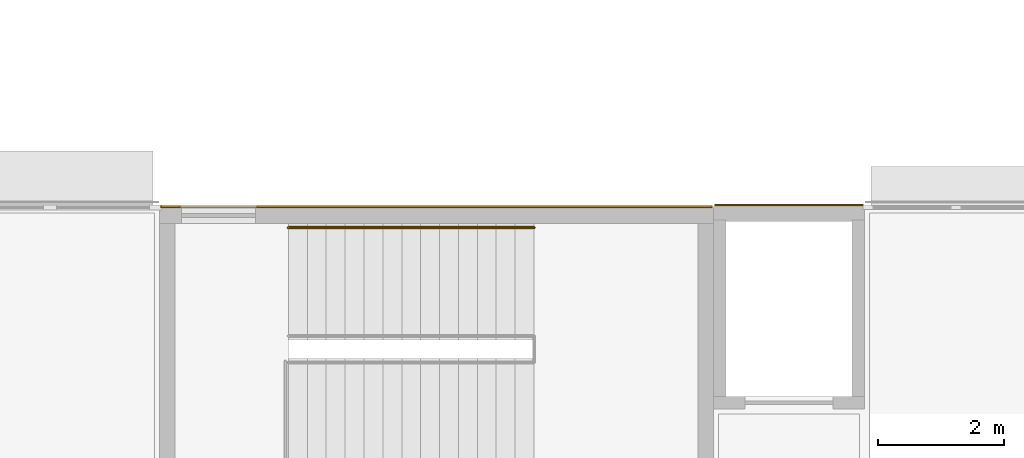
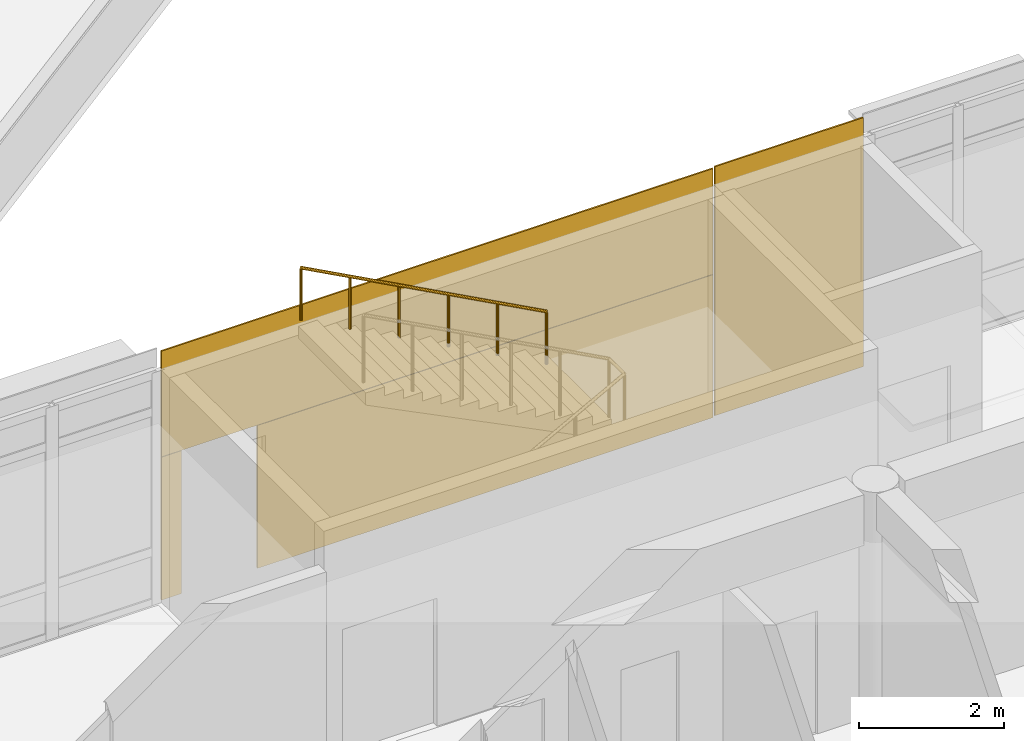
# One storey, part 39 of 55: 4 coverings, 1 railing.
"""IFC4 building model written with IfcOpenShell, lengths in metres."""

from ifc_helpers import new_model, si_unit, direction, frame, origin, origin_2d, place, context, subcontext, project, spatial, rectangle, circle, extrude, material, layer, layer_set, type_object, element, save


model = new_model("IFC4")

# Units and contexts
model_context = context("Model", 3, precision=1e-05, world=origin(), true_north=direction((0.0, 1.0)))
body_context = subcontext(model_context, "Body", "Model", "MODEL_VIEW")
ifc_project = project(units=[si_unit("LENGTHUNIT", "METRE"), si_unit("AREAUNIT", "SQUARE_METRE"), si_unit("VOLUMEUNIT", "CUBIC_METRE"), si_unit("PLANEANGLEUNIT", "RADIAN"), si_unit("MASSUNIT", "GRAM", prefix="KILO")], contexts=[model_context])

# Site, building, storey
site_placement = place(None, origin())
site = spatial("IfcSite", under=ifc_project, at=site_placement, CompositionType="ELEMENT")
building_placement = place(site_placement, origin())
building = spatial("IfcBuilding", under=site, at=building_placement, Name="Namkhue Oval Health Centre", CompositionType="ELEMENT")
storey_placement = place(building_placement, frame((0.0, 0.0, 9.60009765625)))
storey = spatial("IfcBuildingStorey", under=building, at=storey_placement, Name="L02", CompositionType="ELEMENT", Elevation=9.60009765625)

# Railing
ifc_material_1 = material(Name="Brushed stainless steel 304 tubular handrail", Category="steel")
railing_type = type_object("IfcRailingType", Name="INTERIOR STAIR HANDRAIL 900", PredefinedType="HANDRAIL", material=ifc_material_1)
railing_placement = place(storey_placement, frame((63.550048828125, 28.47998046875, 2.099853515625)))
element("IfcRailing", 1, at=railing_placement, inside=storey, type_object=railing_type, Name="Stair ST-07 L02 Flight 2 Handrail", PredefinedType="HANDRAIL", context=body_context, shape_type="SweptSolid", body=[
    extrude(circle(Radius=0.02392578125, at=origin_2d()), frame((0.0, 0.0, 0.8759765625), z_axis=(-0.880469330154, 0.0, 0.474103109733), x_axis=(0.0, -1.0, 0.0)), (0.0, 0.0, 1.0), 4.4296875),
    extrude(circle(Radius=0.02099609375, at=origin_2d()), origin(), (0.0, 0.0, 1.0), 0.851806640625),
    extrude(circle(Radius=0.02099609375, at=origin_2d()), frame((-0.780029296875, 0.0, 0.419921875)), (0.0, 0.0, 1.0), 0.851806640625),
    extrude(circle(Radius=0.02099609375, at=origin_2d()), frame((-1.56005859375, 0.0, 0.840087890625)), (0.0, 0.0, 1.0), 0.851806640625),
    extrude(circle(Radius=0.02099609375, at=origin_2d()), frame((-2.340087890625, 0.0, 1.260009765625)), (0.0, 0.0, 1.0), 0.851806640625),
    extrude(circle(Radius=0.02099609375, at=origin_2d()), frame((-3.1201171875, 0.0, 1.68017578125)), (0.0, 0.0, 1.0), 0.851806640625),
    extrude(circle(Radius=0.02099609375, at=origin_2d()), frame((-3.900146484375, 0.0, 2.10009765625)), (0.0, 0.0, 1.0), 0.851806640625),
])

# Coverings
ifc_material_2 = material(Name="White glass-fibre reinforced concrete GRC rainscreen cladding", Category="concrete")
ifc_layer = layer(ifc_material_2, 0.02490234375)
ifc_layer_set = layer_set([ifc_layer], Name="White glass-fibre reinforced concrete GRC rainscreen cladding")
covering_type = type_object("IfcCoveringType", Name="WHITE GRC RAINSCREEN CLADDING 25", PredefinedType="CLADDING", material=ifc_layer_set)
covering_1_placement = place(storey_placement, frame((62.0, 28.81201171875, 2.4150390625), z_axis=(0.0, 0.0, 1.0), x_axis=(-1.0, 0.0, 0.0)))
element("IfcCovering", 2, at=covering_1_placement, inside=storey, type_object=covering_type, Name="Core SC-07 L02 Core N White GRC Cladding 1", PredefinedType="CLADDING", context=body_context, shape_type="SweptSolid", body=[
    extrude(rectangle(XDim=8.760009765625, YDim=0.02490234375, at=origin_2d()), origin(), (0.0, 0.0, 1.0), 1.77490234375),
])
covering_2_placement = place(storey_placement, frame((62.762451171875, 28.81201171875, 0.010009765625), z_axis=(0.0, 0.0, 1.0), x_axis=(-1.0, 0.0, 0.0)))
element("IfcCovering", 3, at=covering_2_placement, inside=storey, type_object=covering_type, Name="Core SC-07 L02 Core N White GRC Cladding 2", PredefinedType="CLADDING", context=body_context, shape_type="SweptSolid", body=[
    extrude(rectangle(XDim=7.235107421875, YDim=0.02490234375, at=origin_2d()), origin(), (0.0, 0.0, 1.0), 2.39990234375),
])
covering_3_placement = place(storey_placement, frame((57.777587890625, 28.81201171875, 0.010009765625), z_axis=(0.0, 0.0, 1.0), x_axis=(-1.0, 0.0, 0.0)))
element("IfcCovering", 4, at=covering_3_placement, inside=storey, type_object=covering_type, Name="Core SC-07 L02 Core N White GRC Cladding 4", PredefinedType="CLADDING", context=body_context, shape_type="SweptSolid", body=[
    extrude(rectangle(XDim=0.31494140625, YDim=0.02490234375, at=origin_2d()), origin(), (0.0, 0.0, 1.0), 2.39990234375),
])
covering_4_placement = place(storey_placement, frame((67.60009765625, 28.8369140625, 0.009765625), z_axis=(0.0, 0.0, 1.0), x_axis=(-1.0, 0.0, 0.0)))
element("IfcCovering", 5, at=covering_4_placement, inside=storey, type_object=covering_type, Name="Lift LF-05 L02 N White GRC Cladding 1", PredefinedType="CLADDING", context=body_context, shape_type="SweptSolid", body=[
    extrude(rectangle(XDim=2.360107421875, YDim=0.02490234375, at=origin_2d()), origin(), (0.0, 0.0, 1.0), 4.179931640625),
])

save(model, "model.ifc")
